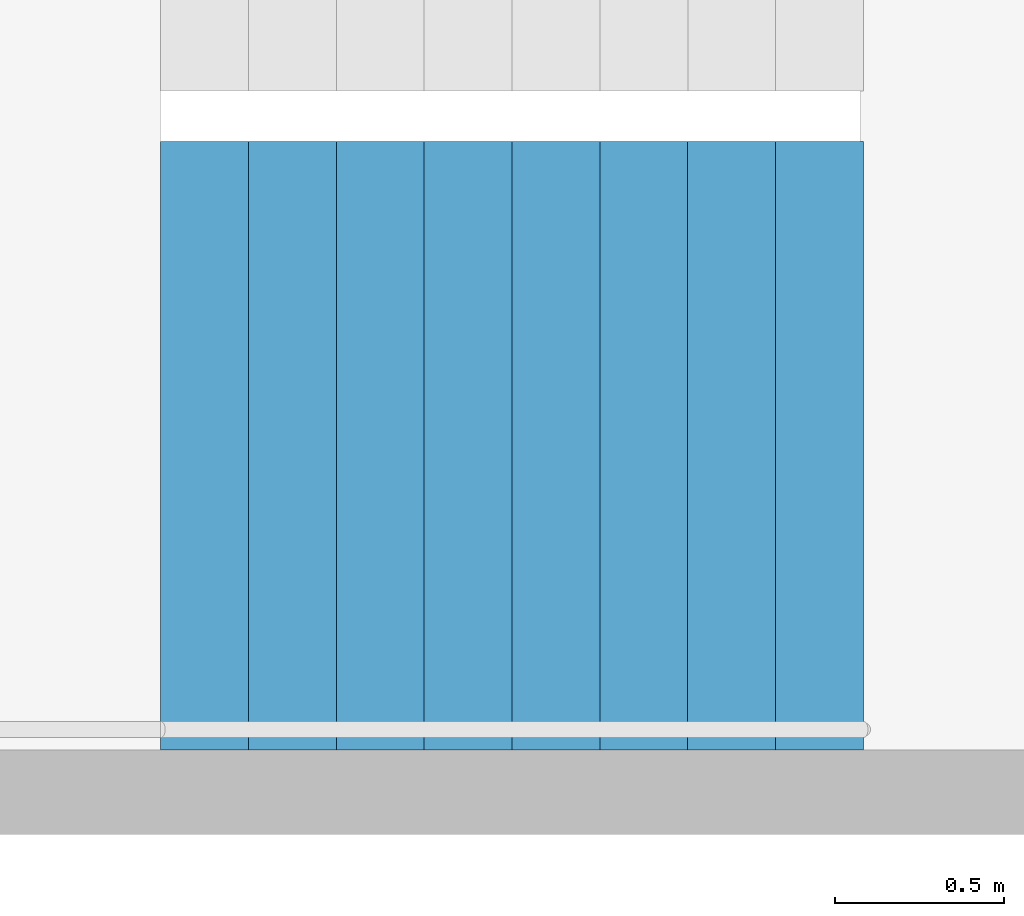
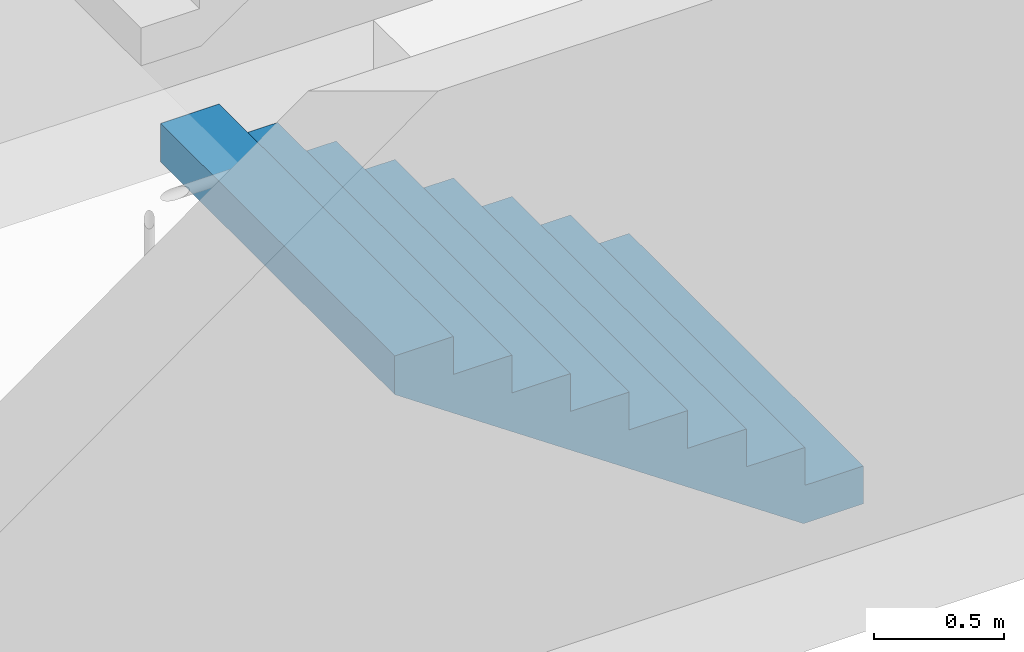
# One storey, part 27 of 29: 1 stair flight, 1 element without a shape of its own.
"""IFC4 building model written with IfcOpenShell, lengths in metres."""

from ifc_helpers import new_model, si_unit, direction, frame, origin, place, context, subcontext, project, spatial, triangles, material, type_object, element, aggregate, save


model = new_model("IFC4")

# Units and contexts
model_context = context("Model", 3, precision=1e-05, world=origin(), true_north=direction((0.0, 1.0)))
body_context = subcontext(model_context, "Body", "Model", "MODEL_VIEW")
ifc_project = project(units=[si_unit("LENGTHUNIT", "METRE"), si_unit("AREAUNIT", "SQUARE_METRE"), si_unit("VOLUMEUNIT", "CUBIC_METRE"), si_unit("PLANEANGLEUNIT", "RADIAN"), si_unit("MASSUNIT", "GRAM", prefix="KILO")], contexts=[model_context])

# Site, building, storey
site_placement = place(None, origin())
site = spatial("IfcSite", under=ifc_project, at=site_placement, CompositionType="ELEMENT")
building_placement = place(site_placement, origin())
building = spatial("IfcBuilding", under=site, at=building_placement, Name="Hakoniwa Tower and Hamabe Station Hall", CompositionType="ELEMENT")
storey_placement = place(building_placement, frame((0.0, 0.0, 23.0)))
storey = spatial("IfcBuildingStorey", under=building, at=storey_placement, Name="L05", CompositionType="ELEMENT", Elevation=23.0)

# Stair, stair flight
ifc_material_1 = material(Name="Concrete C40", Category="concrete")
stair_type = type_object("IfcStairType", Name="ESCAPE STAIR 1800", PredefinedType="HALF_TURN_STAIR", material=ifc_material_1)
stair_placement = place(storey_placement, origin())
stair = element("IfcStair", 1, at=stair_placement, inside=storey, type_object=stair_type, Name="Escape stair ST-3 L05", PredefinedType="HALF_TURN_STAIR")
ifc_material_2 = material(Name="Concrete C40", Category="concrete")
stair_flight_type = type_object("IfcStairFlightType", Name="STAIR FLIGHT 1800", PredefinedType="STRAIGHT", material=ifc_material_2)
stair_flight_placement = place(storey_placement, frame((24.39990234375, 4.64990234375, 0.0), z_axis=(0.0, 0.0, 1.0), x_axis=(-1.0, 0.0, 0.0)))
stair_flight = element("IfcStairFlight", 2, at=stair_flight_placement, type_object=stair_flight_type, Name="ST-3 flight 1", NumberOfRisers=9, NumberOfTreads=8, PredefinedType="STRAIGHT", RiserHeight=0.177777778, TreadLength=0.26, context=body_context, shape_type="Tessellation", body=[
    triangles([(0.0, 0.89990234375, 0.0), (0.260009765625, 0.89990234375, 0.0), (0.265625, 0.89990234375, 0.0), (0.52001953125, 0.89990234375, 0.174072265625), (0.780029296875, 0.89990234375, 0.351806640625), (1.0400390625, 0.89990234375, 0.529541015625), (1.300048828125, 0.89990234375, 0.707275390625), (1.56005859375, 0.89990234375, 0.885009765625), (1.820068359375, 0.89990234375, 1.062744140625), (2.080078125, 0.89990234375, 1.24072265625), (2.080078125, 0.89990234375, 1.422119140625), (1.820068359375, 0.89990234375, 1.422119140625), (1.820068359375, 0.89990234375, 1.244384765625), (1.56005859375, 0.89990234375, 1.244384765625), (1.56005859375, 0.89990234375, 1.066650390625), (1.300048828125, 0.89990234375, 1.066650390625), (1.300048828125, 0.89990234375, 0.888916015625), (1.0400390625, 0.89990234375, 0.888916015625), (1.0400390625, 0.89990234375, 0.711181640625), (0.780029296875, 0.89990234375, 0.711181640625), (0.780029296875, 0.89990234375, 0.533447265625), (0.52001953125, 0.89990234375, 0.533447265625), (0.52001953125, 0.89990234375, 0.35546875), (0.265625, 0.89990234375, 0.35546875), (0.260009765625, 0.89990234375, 0.35546875), (0.260009765625, 0.89990234375, 0.177734375), (0.0, 0.89990234375, 0.177734375), (0.0, 0.06005859375, 0.0), (0.260009765625, 0.06005859375, 0.0), (0.265625, 0.06005859375, 0.0), (0.52001953125, 0.06005859375, 0.174072265625), (0.780029296875, 0.06005859375, 0.351806640625), (1.0400390625, 0.06005859375, 0.529541015625), (1.300048828125, 0.06005859375, 0.707275390625), (1.56005859375, 0.06005859375, 0.885009765625), (1.820068359375, 0.06005859375, 1.062744140625), (2.080078125, 0.06005859375, 1.24072265625), (2.080078125, 0.06005859375, 1.422119140625), (1.820068359375, 0.06005859375, 1.422119140625), (1.820068359375, 0.06005859375, 1.244384765625), (1.56005859375, 0.06005859375, 1.244384765625), (1.56005859375, 0.06005859375, 1.066650390625), (1.300048828125, 0.06005859375, 1.066650390625), (1.300048828125, 0.06005859375, 0.888916015625), (1.0400390625, 0.06005859375, 0.888916015625), (1.0400390625, 0.06005859375, 0.711181640625), (0.780029296875, 0.06005859375, 0.711181640625), (0.780029296875, 0.06005859375, 0.533447265625), (0.52001953125, 0.06005859375, 0.533447265625), (0.52001953125, 0.06005859375, 0.35546875), (0.265625, 0.06005859375, 0.35546875), (0.260009765625, 0.06005859375, 0.35546875), (0.260009765625, 0.06005859375, 0.177734375), (0.0, 0.06005859375, 0.177734375), (0.0, 0.04296875, 0.0), (0.260009765625, 0.04296875, 0.0), (0.265625, 0.04296875, 0.0), (0.52001953125, 0.04296875, 0.174072265625), (0.780029296875, 0.04296875, 0.351806640625), (1.0400390625, 0.04296875, 0.529541015625), (1.300048828125, 0.04296875, 0.707275390625), (1.56005859375, 0.04296875, 0.885009765625), (1.820068359375, 0.04296875, 1.062744140625), (2.080078125, 0.04296875, 1.24072265625), (2.080078125, 0.04296875, 1.422119140625), (1.820068359375, 0.04296875, 1.422119140625), (1.820068359375, 0.04296875, 1.244384765625), (1.56005859375, 0.04296875, 1.244384765625), (1.56005859375, 0.04296875, 1.066650390625), (1.300048828125, 0.04296875, 1.066650390625), (1.300048828125, 0.04296875, 0.888916015625), (1.0400390625, 0.04296875, 0.888916015625), (1.0400390625, 0.04296875, 0.711181640625), (0.780029296875, 0.04296875, 0.711181640625), (0.780029296875, 0.04296875, 0.533447265625), (0.52001953125, 0.04296875, 0.533447265625), (0.52001953125, 0.04296875, 0.35546875), (0.265625, 0.04296875, 0.35546875), (0.260009765625, 0.04296875, 0.35546875), (0.260009765625, 0.04296875, 0.177734375), (0.0, 0.04296875, 0.177734375), (0.0, 0.025634765625, 0.0), (0.260009765625, 0.025634765625, 0.0), (0.265625, 0.025634765625, 0.0), (0.52001953125, 0.025634765625, 0.174072265625), (0.780029296875, 0.025634765625, 0.351806640625), (1.0400390625, 0.025634765625, 0.529541015625), (1.300048828125, 0.025634765625, 0.707275390625), (1.56005859375, 0.025634765625, 0.885009765625), (1.820068359375, 0.025634765625, 1.062744140625), (2.080078125, 0.025634765625, 1.24072265625), (2.080078125, 0.025634765625, 1.422119140625), (1.820068359375, 0.025634765625, 1.422119140625), (1.820068359375, 0.025634765625, 1.244384765625), (1.56005859375, 0.025634765625, 1.244384765625), (1.56005859375, 0.025634765625, 1.066650390625), (1.300048828125, 0.025634765625, 1.066650390625), (1.300048828125, 0.025634765625, 0.888916015625), (1.0400390625, 0.025634765625, 0.888916015625), (1.0400390625, 0.025634765625, 0.711181640625), (0.780029296875, 0.025634765625, 0.711181640625), (0.780029296875, 0.025634765625, 0.533447265625), (0.52001953125, 0.025634765625, 0.533447265625), (0.52001953125, 0.025634765625, 0.35546875), (0.265625, 0.025634765625, 0.35546875), (0.260009765625, 0.025634765625, 0.35546875), (0.260009765625, 0.025634765625, 0.177734375), (0.0, 0.025634765625, 0.177734375), (0.0, 0.008544921875, 0.0), (0.260009765625, 0.008544921875, 0.0), (0.265625, 0.008544921875, 0.0), (0.52001953125, 0.008544921875, 0.174072265625), (0.780029296875, 0.008544921875, 0.351806640625), (1.0400390625, 0.008544921875, 0.529541015625), (1.300048828125, 0.008544921875, 0.707275390625), (1.56005859375, 0.008544921875, 0.885009765625), (1.820068359375, 0.008544921875, 1.062744140625), (2.080078125, 0.008544921875, 1.24072265625), (2.080078125, 0.008544921875, 1.422119140625), (1.820068359375, 0.008544921875, 1.422119140625), (1.820068359375, 0.008544921875, 1.244384765625), (1.56005859375, 0.008544921875, 1.244384765625), (1.56005859375, 0.008544921875, 1.066650390625), (1.300048828125, 0.008544921875, 1.066650390625), (1.300048828125, 0.008544921875, 0.888916015625), (1.0400390625, 0.008544921875, 0.888916015625), (1.0400390625, 0.008544921875, 0.711181640625), (0.780029296875, 0.008544921875, 0.711181640625), (0.780029296875, 0.008544921875, 0.533447265625), (0.52001953125, 0.008544921875, 0.533447265625), (0.52001953125, 0.008544921875, 0.35546875), (0.265625, 0.008544921875, 0.35546875), (0.260009765625, 0.008544921875, 0.35546875), (0.260009765625, 0.008544921875, 0.177734375), (0.0, 0.008544921875, 0.177734375), (0.0, -0.008544921875, 0.0), (0.260009765625, -0.008544921875, 0.0), (0.265625, -0.008544921875, 0.0), (0.52001953125, -0.008544921875, 0.174072265625), (0.780029296875, -0.008544921875, 0.351806640625), (1.0400390625, -0.008544921875, 0.529541015625), (1.300048828125, -0.008544921875, 0.707275390625), (1.56005859375, -0.008544921875, 0.885009765625), (1.820068359375, -0.008544921875, 1.062744140625), (2.080078125, -0.008544921875, 1.24072265625), (2.080078125, -0.008544921875, 1.422119140625), (1.820068359375, -0.008544921875, 1.422119140625), (1.820068359375, -0.008544921875, 1.244384765625), (1.56005859375, -0.008544921875, 1.244384765625), (1.56005859375, -0.008544921875, 1.066650390625), (1.300048828125, -0.008544921875, 1.066650390625), (1.300048828125, -0.008544921875, 0.888916015625), (1.0400390625, -0.008544921875, 0.888916015625), (1.0400390625, -0.008544921875, 0.711181640625), (0.780029296875, -0.008544921875, 0.711181640625), (0.780029296875, -0.008544921875, 0.533447265625), (0.52001953125, -0.008544921875, 0.533447265625), (0.52001953125, -0.008544921875, 0.35546875), (0.265625, -0.008544921875, 0.35546875), (0.260009765625, -0.008544921875, 0.35546875), (0.260009765625, -0.008544921875, 0.177734375), (0.0, -0.008544921875, 0.177734375), (0.0, -0.025634765625, 0.0), (0.260009765625, -0.025634765625, 0.0), (0.265625, -0.025634765625, 0.0), (0.52001953125, -0.025634765625, 0.174072265625), (0.780029296875, -0.025634765625, 0.351806640625), (1.0400390625, -0.025634765625, 0.529541015625), (1.300048828125, -0.025634765625, 0.707275390625), (1.56005859375, -0.025634765625, 0.885009765625), (1.820068359375, -0.025634765625, 1.062744140625), (2.080078125, -0.025634765625, 1.24072265625), (2.080078125, -0.025634765625, 1.422119140625), (1.820068359375, -0.025634765625, 1.422119140625), (1.820068359375, -0.025634765625, 1.244384765625), (1.56005859375, -0.025634765625, 1.244384765625), (1.56005859375, -0.025634765625, 1.066650390625), (1.300048828125, -0.025634765625, 1.066650390625), (1.300048828125, -0.025634765625, 0.888916015625), (1.0400390625, -0.025634765625, 0.888916015625), (1.0400390625, -0.025634765625, 0.711181640625), (0.780029296875, -0.025634765625, 0.711181640625), (0.780029296875, -0.025634765625, 0.533447265625), (0.52001953125, -0.025634765625, 0.533447265625), (0.52001953125, -0.025634765625, 0.35546875), (0.265625, -0.025634765625, 0.35546875), (0.260009765625, -0.025634765625, 0.35546875), (0.260009765625, -0.025634765625, 0.177734375), (0.0, -0.025634765625, 0.177734375), (0.0, -0.04296875, 0.0), (0.260009765625, -0.04296875, 0.0), (0.265625, -0.04296875, 0.0), (0.52001953125, -0.04296875, 0.174072265625), (0.780029296875, -0.04296875, 0.351806640625), (1.0400390625, -0.04296875, 0.529541015625), (1.300048828125, -0.04296875, 0.707275390625), (1.56005859375, -0.04296875, 0.885009765625), (1.820068359375, -0.04296875, 1.062744140625), (2.080078125, -0.04296875, 1.24072265625), (2.080078125, -0.04296875, 1.422119140625), (1.820068359375, -0.04296875, 1.422119140625), (1.820068359375, -0.04296875, 1.244384765625), (1.56005859375, -0.04296875, 1.244384765625), (1.56005859375, -0.04296875, 1.066650390625), (1.300048828125, -0.04296875, 1.066650390625), (1.300048828125, -0.04296875, 0.888916015625), (1.0400390625, -0.04296875, 0.888916015625), (1.0400390625, -0.04296875, 0.711181640625), (0.780029296875, -0.04296875, 0.711181640625), (0.780029296875, -0.04296875, 0.533447265625), (0.52001953125, -0.04296875, 0.533447265625), (0.52001953125, -0.04296875, 0.35546875), (0.265625, -0.04296875, 0.35546875), (0.260009765625, -0.04296875, 0.35546875), (0.260009765625, -0.04296875, 0.177734375), (0.0, -0.04296875, 0.177734375), (0.0, -0.06005859375, 0.0), (0.260009765625, -0.06005859375, 0.0), (0.265625, -0.06005859375, 0.0), (0.52001953125, -0.06005859375, 0.174072265625), (0.780029296875, -0.06005859375, 0.351806640625), (1.0400390625, -0.06005859375, 0.529541015625), (1.300048828125, -0.06005859375, 0.707275390625), (1.56005859375, -0.06005859375, 0.885009765625), (1.820068359375, -0.06005859375, 1.062744140625), (2.080078125, -0.06005859375, 1.24072265625), (2.080078125, -0.06005859375, 1.422119140625), (1.820068359375, -0.06005859375, 1.422119140625), (1.820068359375, -0.06005859375, 1.244384765625), (1.56005859375, -0.06005859375, 1.244384765625), (1.56005859375, -0.06005859375, 1.066650390625), (1.300048828125, -0.06005859375, 1.066650390625), (1.300048828125, -0.06005859375, 0.888916015625), (1.0400390625, -0.06005859375, 0.888916015625), (1.0400390625, -0.06005859375, 0.711181640625), (0.780029296875, -0.06005859375, 0.711181640625), (0.780029296875, -0.06005859375, 0.533447265625), (0.52001953125, -0.06005859375, 0.533447265625), (0.52001953125, -0.06005859375, 0.35546875), (0.265625, -0.06005859375, 0.35546875), (0.260009765625, -0.06005859375, 0.35546875), (0.260009765625, -0.06005859375, 0.177734375), (0.0, -0.06005859375, 0.177734375), (0.0, -0.89990234375, 0.0), (0.260009765625, -0.89990234375, 0.0), (0.265625, -0.89990234375, 0.0), (0.52001953125, -0.89990234375, 0.174072265625), (0.780029296875, -0.89990234375, 0.351806640625), (1.0400390625, -0.89990234375, 0.529541015625), (1.300048828125, -0.89990234375, 0.707275390625), (1.56005859375, -0.89990234375, 0.885009765625), (1.820068359375, -0.89990234375, 1.062744140625), (2.080078125, -0.89990234375, 1.24072265625), (2.080078125, -0.89990234375, 1.422119140625), (1.820068359375, -0.89990234375, 1.422119140625), (1.820068359375, -0.89990234375, 1.244384765625), (1.56005859375, -0.89990234375, 1.244384765625), (1.56005859375, -0.89990234375, 1.066650390625), (1.300048828125, -0.89990234375, 1.066650390625), (1.300048828125, -0.89990234375, 0.888916015625), (1.0400390625, -0.89990234375, 0.888916015625), (1.0400390625, -0.89990234375, 0.711181640625), (0.780029296875, -0.89990234375, 0.711181640625), (0.780029296875, -0.89990234375, 0.533447265625), (0.52001953125, -0.89990234375, 0.533447265625), (0.52001953125, -0.89990234375, 0.35546875), (0.265625, -0.89990234375, 0.35546875), (0.260009765625, -0.89990234375, 0.35546875), (0.260009765625, -0.89990234375, 0.177734375), (0.0, -0.89990234375, 0.177734375)], [[2, 27, 26], [245, 269, 270], [2, 1, 27], [245, 270, 244], [3, 25, 24], [246, 267, 268], [3, 26, 25], [246, 268, 269], [3, 2, 26], [246, 269, 245], [4, 24, 23], [247, 266, 267], [4, 3, 24], [247, 267, 246], [5, 22, 21], [248, 264, 265], [5, 23, 22], [248, 265, 266], [5, 4, 23], [248, 266, 247], [6, 20, 19], [249, 262, 263], [6, 21, 20], [249, 263, 264], [6, 5, 21], [249, 264, 248], [7, 18, 17], [250, 260, 261], [7, 19, 18], [250, 261, 262], [7, 6, 19], [250, 262, 249], [8, 16, 15], [251, 258, 259], [8, 17, 16], [251, 259, 260], [8, 7, 17], [251, 260, 250], [9, 14, 13], [252, 256, 257], [9, 15, 14], [252, 257, 258], [9, 8, 15], [252, 258, 251], [10, 12, 11], [253, 254, 255], [10, 13, 12], [253, 255, 256], [10, 9, 13], [253, 256, 252], [1, 2, 29], [1, 29, 28], [28, 29, 56], [28, 56, 55], [55, 56, 83], [55, 83, 82], [82, 83, 110], [82, 110, 109], [109, 110, 137], [109, 137, 136], [136, 137, 164], [136, 164, 163], [163, 164, 191], [163, 191, 190], [190, 191, 218], [190, 218, 217], [217, 218, 245], [217, 245, 244], [2, 3, 30], [2, 30, 29], [29, 30, 57], [29, 57, 56], [56, 57, 84], [56, 84, 83], [83, 84, 111], [83, 111, 110], [110, 111, 138], [110, 138, 137], [137, 138, 165], [137, 165, 164], [164, 165, 192], [164, 192, 191], [191, 192, 219], [191, 219, 218], [218, 219, 246], [218, 246, 245], [3, 4, 31], [3, 31, 30], [30, 31, 58], [30, 58, 57], [57, 58, 85], [57, 85, 84], [84, 85, 112], [84, 112, 111], [111, 112, 139], [111, 139, 138], [138, 139, 166], [138, 166, 165], [165, 166, 193], [165, 193, 192], [192, 193, 220], [192, 220, 219], [219, 220, 247], [219, 247, 246], [4, 5, 32], [4, 32, 31], [31, 32, 59], [31, 59, 58], [58, 59, 86], [58, 86, 85], [85, 86, 113], [85, 113, 112], [112, 113, 140], [112, 140, 139], [139, 140, 167], [139, 167, 166], [166, 167, 194], [166, 194, 193], [193, 194, 221], [193, 221, 220], [220, 221, 248], [220, 248, 247], [5, 6, 33], [5, 33, 32], [32, 33, 60], [32, 60, 59], [59, 60, 87], [59, 87, 86], [86, 87, 114], [86, 114, 113], [113, 114, 141], [113, 141, 140], [140, 141, 168], [140, 168, 167], [167, 168, 195], [167, 195, 194], [194, 195, 222], [194, 222, 221], [221, 222, 249], [221, 249, 248], [6, 7, 34], [6, 34, 33], [33, 34, 61], [33, 61, 60], [60, 61, 88], [60, 88, 87], [87, 88, 115], [87, 115, 114], [114, 115, 142], [114, 142, 141], [141, 142, 169], [141, 169, 168], [168, 169, 196], [168, 196, 195], [195, 196, 223], [195, 223, 222], [222, 223, 250], [222, 250, 249], [7, 8, 35], [7, 35, 34], [34, 35, 62], [34, 62, 61], [61, 62, 89], [61, 89, 88], [88, 89, 116], [88, 116, 115], [115, 116, 143], [115, 143, 142], [142, 143, 170], [142, 170, 169], [169, 170, 197], [169, 197, 196], [196, 197, 224], [196, 224, 223], [223, 224, 251], [223, 251, 250], [8, 9, 36], [8, 36, 35], [35, 36, 63], [35, 63, 62], [62, 63, 90], [62, 90, 89], [89, 90, 117], [89, 117, 116], [116, 117, 144], [116, 144, 143], [143, 144, 171], [143, 171, 170], [170, 171, 198], [170, 198, 197], [197, 198, 225], [197, 225, 224], [224, 225, 252], [224, 252, 251], [9, 10, 37], [9, 37, 36], [36, 37, 64], [36, 64, 63], [63, 64, 91], [63, 91, 90], [90, 91, 118], [90, 118, 117], [117, 118, 145], [117, 145, 144], [144, 145, 172], [144, 172, 171], [171, 172, 199], [171, 199, 198], [198, 199, 226], [198, 226, 225], [225, 226, 253], [225, 253, 252], [10, 11, 38], [10, 38, 37], [37, 38, 65], [37, 65, 64], [64, 65, 92], [64, 92, 91], [91, 92, 119], [91, 119, 118], [118, 119, 146], [118, 146, 145], [145, 146, 173], [145, 173, 172], [172, 173, 200], [172, 200, 199], [199, 200, 227], [199, 227, 226], [226, 227, 254], [226, 254, 253], [11, 12, 39], [11, 39, 38], [38, 39, 66], [38, 66, 65], [65, 66, 93], [65, 93, 92], [92, 93, 120], [92, 120, 119], [119, 120, 147], [119, 147, 146], [146, 147, 174], [146, 174, 173], [173, 174, 201], [173, 201, 200], [200, 201, 228], [200, 228, 227], [227, 228, 255], [227, 255, 254], [12, 13, 40], [12, 40, 39], [39, 40, 67], [39, 67, 66], [66, 67, 94], [66, 94, 93], [93, 94, 121], [93, 121, 120], [120, 121, 148], [120, 148, 147], [147, 148, 175], [147, 175, 174], [174, 175, 202], [174, 202, 201], [201, 202, 229], [201, 229, 228], [228, 229, 256], [228, 256, 255], [13, 14, 41], [13, 41, 40], [40, 41, 68], [40, 68, 67], [67, 68, 95], [67, 95, 94], [94, 95, 122], [94, 122, 121], [121, 122, 149], [121, 149, 148], [148, 149, 176], [148, 176, 175], [175, 176, 203], [175, 203, 202], [202, 203, 230], [202, 230, 229], [229, 230, 257], [229, 257, 256], [14, 15, 42], [14, 42, 41], [41, 42, 69], [41, 69, 68], [68, 69, 96], [68, 96, 95], [95, 96, 123], [95, 123, 122], [122, 123, 150], [122, 150, 149], [149, 150, 177], [149, 177, 176], [176, 177, 204], [176, 204, 203], [203, 204, 231], [203, 231, 230], [230, 231, 258], [230, 258, 257], [15, 16, 43], [15, 43, 42], [42, 43, 70], [42, 70, 69], [69, 70, 97], [69, 97, 96], [96, 97, 124], [96, 124, 123], [123, 124, 151], [123, 151, 150], [150, 151, 178], [150, 178, 177], [177, 178, 205], [177, 205, 204], [204, 205, 232], [204, 232, 231], [231, 232, 259], [231, 259, 258], [16, 17, 44], [16, 44, 43], [43, 44, 71], [43, 71, 70], [70, 71, 98], [70, 98, 97], [97, 98, 125], [97, 125, 124], [124, 125, 152], [124, 152, 151], [151, 152, 179], [151, 179, 178], [178, 179, 206], [178, 206, 205], [205, 206, 233], [205, 233, 232], [232, 233, 260], [232, 260, 259], [17, 18, 45], [17, 45, 44], [44, 45, 72], [44, 72, 71], [71, 72, 99], [71, 99, 98], [98, 99, 126], [98, 126, 125], [125, 126, 153], [125, 153, 152], [152, 153, 180], [152, 180, 179], [179, 180, 207], [179, 207, 206], [206, 207, 234], [206, 234, 233], [233, 234, 261], [233, 261, 260], [18, 19, 46], [18, 46, 45], [45, 46, 73], [45, 73, 72], [72, 73, 100], [72, 100, 99], [99, 100, 127], [99, 127, 126], [126, 127, 154], [126, 154, 153], [153, 154, 181], [153, 181, 180], [180, 181, 208], [180, 208, 207], [207, 208, 235], [207, 235, 234], [234, 235, 262], [234, 262, 261], [19, 20, 47], [19, 47, 46], [46, 47, 74], [46, 74, 73], [73, 74, 101], [73, 101, 100], [100, 101, 128], [100, 128, 127], [127, 128, 155], [127, 155, 154], [154, 155, 182], [154, 182, 181], [181, 182, 209], [181, 209, 208], [208, 209, 236], [208, 236, 235], [235, 236, 263], [235, 263, 262], [20, 21, 48], [20, 48, 47], [47, 48, 75], [47, 75, 74], [74, 75, 102], [74, 102, 101], [101, 102, 129], [101, 129, 128], [128, 129, 156], [128, 156, 155], [155, 156, 183], [155, 183, 182], [182, 183, 210], [182, 210, 209], [209, 210, 237], [209, 237, 236], [236, 237, 264], [236, 264, 263], [21, 22, 49], [21, 49, 48], [48, 49, 76], [48, 76, 75], [75, 76, 103], [75, 103, 102], [102, 103, 130], [102, 130, 129], [129, 130, 157], [129, 157, 156], [156, 157, 184], [156, 184, 183], [183, 184, 211], [183, 211, 210], [210, 211, 238], [210, 238, 237], [237, 238, 265], [237, 265, 264], [22, 23, 50], [22, 50, 49], [49, 50, 77], [49, 77, 76], [76, 77, 104], [76, 104, 103], [103, 104, 131], [103, 131, 130], [130, 131, 158], [130, 158, 157], [157, 158, 185], [157, 185, 184], [184, 185, 212], [184, 212, 211], [211, 212, 239], [211, 239, 238], [238, 239, 266], [238, 266, 265], [23, 24, 51], [23, 51, 50], [50, 51, 78], [50, 78, 77], [77, 78, 105], [77, 105, 104], [104, 105, 132], [104, 132, 131], [131, 132, 159], [131, 159, 158], [158, 159, 186], [158, 186, 185], [185, 186, 213], [185, 213, 212], [212, 213, 240], [212, 240, 239], [239, 240, 267], [239, 267, 266], [24, 25, 52], [24, 52, 51], [51, 52, 79], [51, 79, 78], [78, 79, 106], [78, 106, 105], [105, 106, 133], [105, 133, 132], [132, 133, 160], [132, 160, 159], [159, 160, 187], [159, 187, 186], [186, 187, 214], [186, 214, 213], [213, 214, 241], [213, 241, 240], [240, 241, 268], [240, 268, 267], [25, 26, 53], [25, 53, 52], [52, 53, 80], [52, 80, 79], [79, 80, 107], [79, 107, 106], [106, 107, 134], [106, 134, 133], [133, 134, 161], [133, 161, 160], [160, 161, 188], [160, 188, 187], [187, 188, 215], [187, 215, 214], [214, 215, 242], [214, 242, 241], [241, 242, 269], [241, 269, 268], [26, 27, 54], [26, 54, 53], [53, 54, 81], [53, 81, 80], [80, 81, 108], [80, 108, 107], [107, 108, 135], [107, 135, 134], [134, 135, 162], [134, 162, 161], [161, 162, 189], [161, 189, 188], [188, 189, 216], [188, 216, 215], [215, 216, 243], [215, 243, 242], [242, 243, 270], [242, 270, 269], [27, 1, 28], [27, 28, 54], [54, 28, 55], [54, 55, 81], [81, 55, 82], [81, 82, 108], [108, 82, 109], [108, 109, 135], [135, 109, 136], [135, 136, 162], [162, 136, 163], [162, 163, 189], [189, 163, 190], [189, 190, 216], [216, 190, 217], [216, 217, 243], [243, 217, 244], [243, 244, 270]], closed=True),
])
aggregate(stair, [stair_flight])

save(model, "model.ifc")
